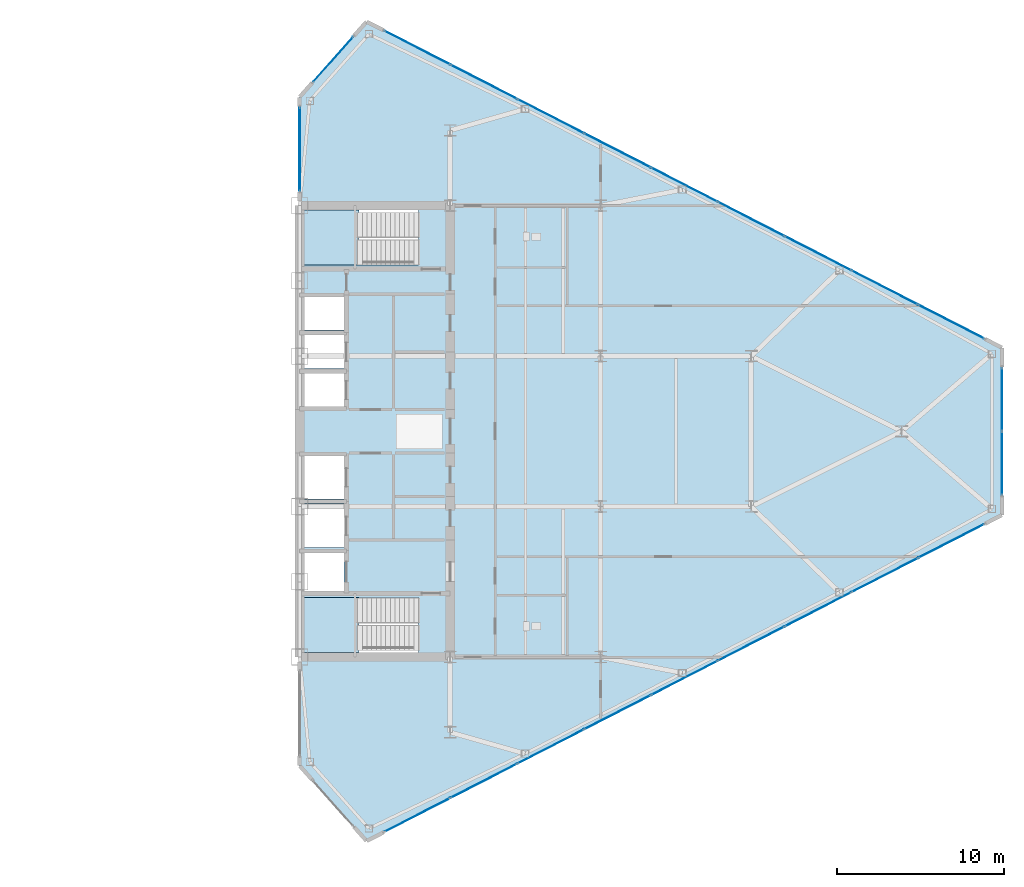
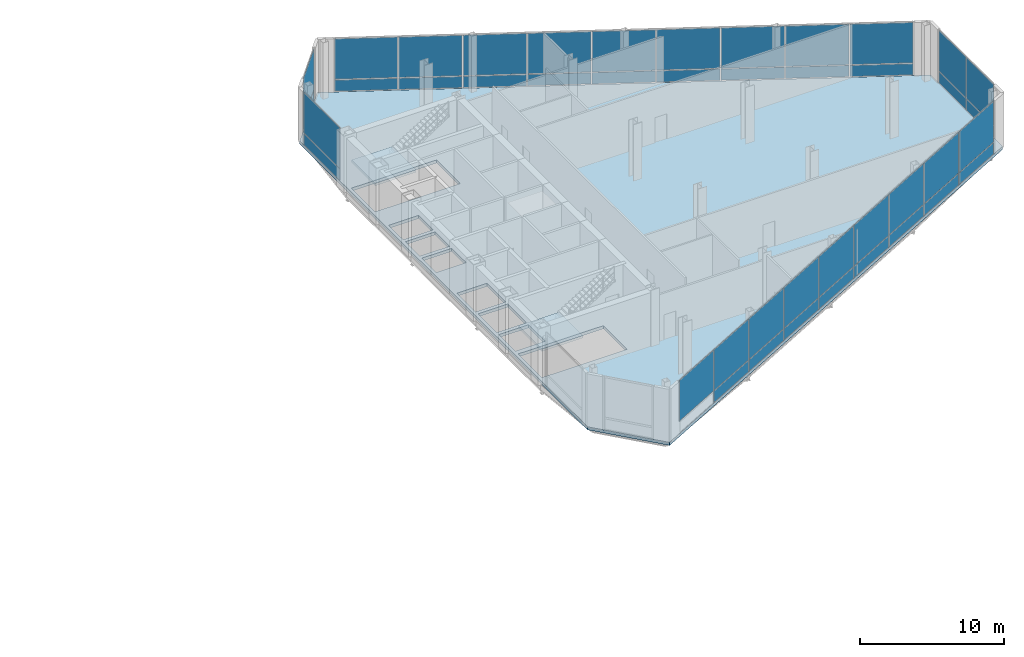
# One storey, part 15 of 22: 43 plates, 3 slabs, 7 elements without a shape of their own.
"""IFC4 building model written with IfcOpenShell, lengths in metres."""

from ifc_helpers import new_model, si_unit, direction, frame, origin, origin_2d, place, context, subcontext, project, spatial, polyline, rectangle, outline, extrude, source, transform, mapped, material, layer, layer_set, type_object, type_shapes, element, aggregate, save


model = new_model("IFC4")

# Units and contexts
model_context = context("Model", 3, precision=1e-05, world=origin(), true_north=direction((0.0, 1.0)))
body_context = subcontext(model_context, "Body", "Model", "MODEL_VIEW")
ifc_project = project(units=[si_unit("LENGTHUNIT", "METRE"), si_unit("AREAUNIT", "SQUARE_METRE"), si_unit("VOLUMEUNIT", "CUBIC_METRE"), si_unit("PLANEANGLEUNIT", "RADIAN"), si_unit("MASSUNIT", "GRAM", prefix="KILO")], contexts=[model_context])

# Site, building, storey
site_placement = place(None, origin())
site = spatial("IfcSite", under=ifc_project, at=site_placement, CompositionType="ELEMENT")
building_placement = place(site_placement, origin())
building = spatial("IfcBuilding", under=site, at=building_placement, Name="Seokmaru Belvedere", CompositionType="ELEMENT")
storey_placement = place(building_placement, frame((0.0, 0.0, 135.60009765625)))
storey = spatial("IfcBuildingStorey", under=building, at=storey_placement, Name="L36", CompositionType="ELEMENT", Elevation=135.60009765625)

# Slab
ifc_material_1 = material(Name="Concrete C50 (50 MPa)", Category="concrete")
ifc_layer_1 = layer(ifc_material_1, 0.260009765625)
ifc_layer_set_1 = layer_set([ifc_layer_1], Name="Concrete C50 (50 MPa)")
slab_type_1 = type_object("IfcSlabType", Name="Refuge and Sky-Gate Heavy Floor Slab 260", PredefinedType="FLOOR", material=ifc_layer_set_1)
slab_1_placement = place(storey_placement, frame((0.0, 0.0, -0.260009765625)))
element("IfcSlab", 1, at=slab_1_placement, inside=storey, type_object=slab_type_1, Name="L36 East Leg Floor Slab", PredefinedType="FLOOR", context=body_context, shape_type="SweptSolid", body=[
    extrude(outline(polyline([(31.5, -24.5), (69.5, -5.0), (69.5, 5.0), (31.5, 24.5), (27.5, 20.0), (27.5, -20.0), (31.5, -24.5)]), holes=[polyline([(27.75, -13.25), (34.60009765625, -13.25), (34.60009765625, -9.949951171875), (27.75, -9.949951171875), (27.75, -13.25)]), polyline([(27.75, 9.949951171875), (34.60009765625, 9.949951171875), (34.60009765625, 13.25), (27.75, 13.25), (27.75, 9.949951171875)]), polyline([(27.75, -9.550048828125), (30.14990234375, -9.550048828125), (30.14990234375, -7.25), (27.75, -7.25), (27.75, -9.550048828125)]), polyline([(27.75, -6.949951171875), (30.14990234375, -6.949951171875), (30.14990234375, -4.35009765625), (27.75, -4.35009765625), (27.75, -6.949951171875)]), polyline([(27.75, -4.050048828125), (30.14990234375, -4.050048828125), (30.14990234375, -1.449951171875), (27.75, -1.449951171875), (27.75, -4.050048828125)]), polyline([(27.75, 1.449951171875), (30.14990234375, 1.449951171875), (30.14990234375, 3.449951171875), (27.75, 3.449951171875), (27.75, 1.449951171875)]), polyline([(27.75, 3.75), (30.14990234375, 3.75), (30.14990234375, 5.75), (27.75, 5.75), (27.75, 3.75)]), polyline([(27.75, 6.050048828125), (30.14990234375, 6.050048828125), (30.14990234375, 8.050048828125), (27.75, 8.050048828125), (27.75, 6.050048828125)])]), origin(), (0.0, 0.0, 1.0), 0.260009765625),
])

# Stair, slab
ifc_material_2 = material(Name="Concrete C40 (40 MPa)", Category="concrete")
stair_type = type_object("IfcStairType", Name="Basement Core Dog-Leg Stair 4800", PredefinedType="TWO_STRAIGHT_RUN_STAIR", material=ifc_material_2)
stair_1_placement = place(storey_placement, origin())
stair_1 = element("IfcStair", 2, at=stair_1_placement, inside=storey, type_object=stair_type, Name="L36 Special Escape Stair ST-E1", PredefinedType="TWO_STRAIGHT_RUN_STAIR")
ifc_layer_2 = layer(ifc_material_2, 0.199951171875)
ifc_layer_set_2 = layer_set([ifc_layer_2], Name="Concrete C40 (40 MPa)")
slab_type_2 = type_object("IfcSlabType", Name="Reinforced Concrete Stair Landing Slab 200", PredefinedType="LANDING", material=ifc_layer_set_2)
slab_2_placement = place(storey_placement, frame((0.0, 0.0, 2.199951171875)))
slab_2 = element("IfcSlab", 3, at=slab_2_placement, type_object=slab_type_2, Name="ST-E1 landing 1", PredefinedType="LANDING", context=body_context, shape_type="SweptSolid", body=[
    extrude(outline(polyline([(27.760009765625, -13.239990234375), (31.0400390625, -13.239990234375), (31.0400390625, -9.949951171875), (27.760009765625, -9.949951171875), (27.760009765625, -13.239990234375)])), origin(), (0.0, 0.0, 1.0), 0.199951171875),
])
aggregate(stair_1, [slab_2])

stair_2_placement = place(storey_placement, origin())
stair_2 = element("IfcStair", 4, at=stair_2_placement, inside=storey, type_object=stair_type, Name="L36 Special Escape Stair ST-E2", PredefinedType="TWO_STRAIGHT_RUN_STAIR")
slab_3_placement = place(storey_placement, frame((0.0, 0.0, 2.199951171875)))
slab_3 = element("IfcSlab", 5, at=slab_3_placement, type_object=slab_type_2, Name="ST-E2 landing 1", PredefinedType="LANDING", context=body_context, shape_type="SweptSolid", body=[
    extrude(outline(polyline([(27.760009765625, 9.949951171875), (31.0400390625, 9.949951171875), (31.0400390625, 13.239990234375), (27.760009765625, 13.239990234375), (27.760009765625, 9.949951171875)])), origin(), (0.0, 0.0, 1.0), 0.199951171875),
])
aggregate(stair_2, [slab_3])

# Curtain wall, plates
ifc_material_3 = material(Name="Bronze Triple Insulating Glass", Category="glass")
ifc_layer_3 = layer(ifc_material_3, 0.195068359375)
ifc_layer_set_3 = layer_set([ifc_layer_3], Name="Bronze Triple Insulating Glass")
curtain_wall_type = type_object("IfcCurtainWallType", Name="Sky-Lobby and Mid-Rise Curtain Wall System CW-4", PredefinedType="NOTDEFINED", material=ifc_layer_set_3)
curtain_wall_1_placement = place(storey_placement, origin())
curtain_wall_1 = element("IfcCurtainWall", 6, at=curtain_wall_1_placement, inside=storey, type_object=curtain_wall_type, Name="L36 Curtain Wall ESP_2", PredefinedType="NOTDEFINED")
ifc_layer_4 = layer(ifc_material_3, 0.048095703125)
ifc_layer_set_4 = layer_set([ifc_layer_4], Name="Bronze Triple Insulating Glass")
plate_type_1 = type_object("IfcPlateType", Name="Insulated Bronze Spandrel Glazing Panel 48", PredefinedType="CURTAIN_PANEL", material=ifc_layer_set_4)
shared_shape_1 = source(origin(), body_context, "Body", "SweptSolid", [
    extrude(rectangle(XDim=4.9599609375, YDim=0.035888671875, at=origin_2d()), origin(), (0.0, 0.0, 1.0), 0.952392578125),
])
plate_1_placement = place(storey_placement, frame((27.5, 16.8798828125, 0.06494140625), z_axis=(0.0, 0.0, 1.0), x_axis=(0.0, -1.0, 0.0)))
plate_1 = element("IfcPlate", 7, at=plate_1_placement, type_object=plate_type_1, Name="CW:L36:ESP_2 Glazing Panel 1-1", PredefinedType="CURTAIN_PANEL", context=body_context, shape_type="MappedRepresentation", body=[
    mapped(shared_shape_1, transform((0.0, 0.0, 0.0), scale=1.0)),
])
ifc_layer_5 = layer(ifc_material_3, 0.035888671875)
ifc_layer_set_5 = layer_set([ifc_layer_5], Name="Bronze Triple Insulating Glass")
plate_type_2 = type_object("IfcPlateType", Name="Bronze Triple Vision Glazing Panel 36", PredefinedType="CURTAIN_PANEL", material=ifc_layer_set_5)
shared_shape_2 = source(origin(), body_context, "Body", "SweptSolid", [
    extrude(rectangle(XDim=4.9599609375, YDim=0.035888671875, at=origin_2d()), origin(), (0.0, 0.0, 1.0), 3.4326171875),
])
plate_2_placement = place(storey_placement, frame((27.5, 16.8798828125, 1.082275390625), z_axis=(0.0, 0.0, 1.0), x_axis=(0.0, -1.0, 0.0)))
plate_2 = element("IfcPlate", 8, at=plate_2_placement, type_object=plate_type_2, Name="CW:L36:ESP_2 Glazing Panel 1-2", PredefinedType="CURTAIN_PANEL", context=body_context, shape_type="MappedRepresentation", body=[
    mapped(shared_shape_2, transform((0.0, 0.0, 0.0), scale=1.0)),
])
aggregate(curtain_wall_1, [plate_1, plate_2])

curtain_wall_2_placement = place(storey_placement, origin())
curtain_wall_2 = element("IfcCurtainWall", 9, at=curtain_wall_2_placement, inside=storey, type_object=curtain_wall_type, Name="L36 Curtain Wall EF4", PredefinedType="NOTDEFINED")
shared_shape_3 = source(origin(), body_context, "Body", "SweptSolid", [
    extrude(rectangle(XDim=3.580810546875, YDim=0.035888671875, at=origin_2d()), origin(), (0.0, 0.0, 1.0), 0.952392578125),
])
plate_3_placement = place(storey_placement, frame((29.5, 22.25, 0.06494140625), z_axis=(0.0, 0.0, 1.0), x_axis=(-0.664363325694, -0.747409774804, 0.0)))
plate_3 = element("IfcPlate", 10, at=plate_3_placement, type_object=plate_type_1, Name="CW:L36:EF4 Glazing Panel 1-1", PredefinedType="CURTAIN_PANEL", context=body_context, shape_type="MappedRepresentation", body=[
    mapped(shared_shape_3, transform((0.0, 0.0, 0.0), scale=1.0)),
])
shared_shape_4 = source(origin(), body_context, "Body", "SweptSolid", [
    extrude(rectangle(XDim=3.580810546875, YDim=0.035888671875, at=origin_2d()), origin(), (0.0, 0.0, 1.0), 3.4326171875),
])
plate_4_placement = place(storey_placement, frame((29.5, 22.25, 1.082275390625), z_axis=(0.0, 0.0, 1.0), x_axis=(-0.664363325694, -0.747409774804, 0.0)))
plate_4 = element("IfcPlate", 11, at=plate_4_placement, type_object=plate_type_2, Name="CW:L36:EF4 Glazing Panel 1-2", PredefinedType="CURTAIN_PANEL", context=body_context, shape_type="MappedRepresentation", body=[
    mapped(shared_shape_4, transform((0.0, 0.0, 0.0), scale=1.0)),
])
aggregate(curtain_wall_2, [plate_3, plate_4])

# Curtain wall, plate
curtain_wall_3_placement = place(storey_placement, origin())
curtain_wall_3 = element("IfcCurtainWall", 12, at=curtain_wall_3_placement, inside=storey, type_object=curtain_wall_type, Name="L36 Curtain Wall EF1", PredefinedType="NOTDEFINED")
shared_shape_5 = source(origin(), body_context, "Body", "SweptSolid", [
    extrude(rectangle(XDim=4.38525390625, YDim=0.035888671875, at=origin_2d()), origin(), (0.0, 0.0, 1.0), 0.952392578125),
])
plate_5_placement = place(storey_placement, frame((66.4638671875, -6.55810546875, 0.06494140625), z_axis=(0.0, 0.0, 1.0), x_axis=(0.889695432562, 0.456554528263, 0.0)))
plate_5 = element("IfcPlate", 13, at=plate_5_placement, type_object=plate_type_1, Name="CW:L36:EF1 Glazing Panel 9-1", PredefinedType="CURTAIN_PANEL", context=body_context, shape_type="MappedRepresentation", body=[
    mapped(shared_shape_5, transform((0.0, 0.0, 0.0), scale=1.0)),
])

# Curtain wall, plates
curtain_wall_4_placement = place(storey_placement, origin())
curtain_wall_4 = element("IfcCurtainWall", 14, at=curtain_wall_4_placement, inside=storey, type_object=curtain_wall_type, Name="L36 Curtain Wall EF3", PredefinedType="NOTDEFINED")
plate_6_placement = place(storey_placement, frame((66.4638671875, 6.55810546875, 0.06494140625), z_axis=(0.0, 0.0, 1.0), x_axis=(-0.889695432562, 0.456554528263, 0.0)))
plate_6 = element("IfcPlate", 15, at=plate_6_placement, type_object=plate_type_1, Name="CW:L36:EF3 Glazing Panel 1-1", PredefinedType="CURTAIN_PANEL", context=body_context, shape_type="MappedRepresentation", body=[
    mapped(shared_shape_5, transform((0.0, 0.0, 0.0), scale=1.0)),
])
plate_7_placement = place(storey_placement, frame((34.5361328125, 22.94189453125, 0.06494140625), z_axis=(0.0, 0.0, 1.0), x_axis=(-0.889695432562, 0.456554528263, 0.0)))
plate_7 = element("IfcPlate", 16, at=plate_7_placement, type_object=plate_type_1, Name="CW:L36:EF3 Glazing Panel 9-1", PredefinedType="CURTAIN_PANEL", context=body_context, shape_type="MappedRepresentation", body=[
    mapped(shared_shape_5, transform((0.0, 0.0, 0.0), scale=1.0)),
])

# Plate
shared_shape_6 = source(origin(), body_context, "Body", "SweptSolid", [
    extrude(rectangle(XDim=4.38525390625, YDim=0.035888671875, at=origin_2d()), origin(), (0.0, 0.0, 1.0), 3.4326171875),
])
plate_8_placement = place(storey_placement, frame((34.5361328125, -22.94189453125, 1.082275390625), z_axis=(0.0, 0.0, 1.0), x_axis=(0.889695432562, 0.456554528263, 0.0)))
plate_8 = element("IfcPlate", 17, at=plate_8_placement, type_object=plate_type_2, Name="CW:L36:EF1 Glazing Panel 1-2", PredefinedType="CURTAIN_PANEL", context=body_context, shape_type="MappedRepresentation", body=[
    mapped(shared_shape_6, transform((0.0, 0.0, 0.0), scale=1.0)),
])

plate_9_placement = place(storey_placement, frame((66.4638671875, -6.55810546875, 1.082275390625), z_axis=(0.0, 0.0, 1.0), x_axis=(0.889695432562, 0.456554528263, 0.0)))
plate_9 = element("IfcPlate", 18, at=plate_9_placement, type_object=plate_type_2, Name="CW:L36:EF1 Glazing Panel 9-2", PredefinedType="CURTAIN_PANEL", context=body_context, shape_type="MappedRepresentation", body=[
    mapped(shared_shape_6, transform((0.0, 0.0, 0.0), scale=1.0)),
])

plate_10_placement = place(storey_placement, frame((66.4638671875, 6.55810546875, 1.082275390625), z_axis=(0.0, 0.0, 1.0), x_axis=(-0.889695432562, 0.456554528263, 0.0)))
plate_10 = element("IfcPlate", 19, at=plate_10_placement, type_object=plate_type_2, Name="CW:L36:EF3 Glazing Panel 1-2", PredefinedType="CURTAIN_PANEL", context=body_context, shape_type="MappedRepresentation", body=[
    mapped(shared_shape_6, transform((0.0, 0.0, 0.0), scale=1.0)),
])

plate_11_placement = place(storey_placement, frame((34.5361328125, 22.94189453125, 1.082275390625), z_axis=(0.0, 0.0, 1.0), x_axis=(-0.889695432562, 0.456554528263, 0.0)))
plate_11 = element("IfcPlate", 20, at=plate_11_placement, type_object=plate_type_2, Name="CW:L36:EF3 Glazing Panel 9-2", PredefinedType="CURTAIN_PANEL", context=body_context, shape_type="MappedRepresentation", body=[
    mapped(shared_shape_6, transform((0.0, 0.0, 0.0), scale=1.0)),
])

shared_shape_7 = source(origin(), body_context, "Body", "SweptSolid", [
    extrude(rectangle(XDim=4.420166015625, YDim=0.035888671875, at=origin_2d()), origin(), (0.0, 0.0, 1.0), 0.952392578125),
])
plate_12_placement = place(storey_placement, frame((38.515380859375, -20.89990234375, 0.06494140625), z_axis=(0.0, 0.0, 1.0), x_axis=(0.889695432562, 0.456554528263, 0.0)))
plate_12 = element("IfcPlate", 21, at=plate_12_placement, type_object=plate_type_1, Name="CW:L36:EF1 Glazing Panel 2-1", PredefinedType="CURTAIN_PANEL", context=body_context, shape_type="MappedRepresentation", body=[
    mapped(shared_shape_7, transform((0.0, 0.0, 0.0), scale=1.0)),
])

plate_13_placement = place(storey_placement, frame((42.51025390625, -18.85009765625, 0.06494140625), z_axis=(0.0, 0.0, 1.0), x_axis=(0.889695432562, 0.456554528263, 0.0)))
plate_13 = element("IfcPlate", 22, at=plate_13_placement, type_object=plate_type_1, Name="CW:L36:EF1 Glazing Panel 3-1", PredefinedType="CURTAIN_PANEL", context=body_context, shape_type="MappedRepresentation", body=[
    mapped(shared_shape_7, transform((0.0, 0.0, 0.0), scale=1.0)),
])

plate_14_placement = place(storey_placement, frame((46.505126953125, -16.800048828125, 0.06494140625), z_axis=(0.0, 0.0, 1.0), x_axis=(0.889695432562, 0.456554528263, 0.0)))
plate_14 = element("IfcPlate", 23, at=plate_14_placement, type_object=plate_type_1, Name="CW:L36:EF1 Glazing Panel 4-1", PredefinedType="CURTAIN_PANEL", context=body_context, shape_type="MappedRepresentation", body=[
    mapped(shared_shape_7, transform((0.0, 0.0, 0.0), scale=1.0)),
])

plate_15_placement = place(storey_placement, frame((50.5, -14.75, 0.06494140625), z_axis=(0.0, 0.0, 1.0), x_axis=(0.889695432562, 0.456554528263, 0.0)))
plate_15 = element("IfcPlate", 24, at=plate_15_placement, type_object=plate_type_1, Name="CW:L36:EF1 Glazing Panel 5-1", PredefinedType="CURTAIN_PANEL", context=body_context, shape_type="MappedRepresentation", body=[
    mapped(shared_shape_7, transform((0.0, 0.0, 0.0), scale=1.0)),
])

plate_16_placement = place(storey_placement, frame((54.494873046875, -12.699951171875, 0.06494140625), z_axis=(0.0, 0.0, 1.0), x_axis=(0.889695432562, 0.456554528263, 0.0)))
plate_16 = element("IfcPlate", 25, at=plate_16_placement, type_object=plate_type_1, Name="CW:L36:EF1 Glazing Panel 6-1", PredefinedType="CURTAIN_PANEL", context=body_context, shape_type="MappedRepresentation", body=[
    mapped(shared_shape_7, transform((0.0, 0.0, 0.0), scale=1.0)),
])

plate_17_placement = place(storey_placement, frame((58.48974609375, -10.64990234375, 0.06494140625), z_axis=(0.0, 0.0, 1.0), x_axis=(0.889695432562, 0.456554528263, 0.0)))
plate_17 = element("IfcPlate", 26, at=plate_17_placement, type_object=plate_type_1, Name="CW:L36:EF1 Glazing Panel 7-1", PredefinedType="CURTAIN_PANEL", context=body_context, shape_type="MappedRepresentation", body=[
    mapped(shared_shape_7, transform((0.0, 0.0, 0.0), scale=1.0)),
])

plate_18_placement = place(storey_placement, frame((62.484619140625, -8.60009765625, 0.06494140625), z_axis=(0.0, 0.0, 1.0), x_axis=(0.889695432562, 0.456554528263, 0.0)))
plate_18 = element("IfcPlate", 27, at=plate_18_placement, type_object=plate_type_1, Name="CW:L36:EF1 Glazing Panel 8-1", PredefinedType="CURTAIN_PANEL", context=body_context, shape_type="MappedRepresentation", body=[
    mapped(shared_shape_7, transform((0.0, 0.0, 0.0), scale=1.0)),
])

plate_19_placement = place(storey_placement, frame((62.484619140625, 8.60009765625, 0.06494140625), z_axis=(0.0, 0.0, 1.0), x_axis=(-0.889695432562, 0.456554528263, 0.0)))
plate_19 = element("IfcPlate", 28, at=plate_19_placement, type_object=plate_type_1, Name="CW:L36:EF3 Glazing Panel 2-1", PredefinedType="CURTAIN_PANEL", context=body_context, shape_type="MappedRepresentation", body=[
    mapped(shared_shape_7, transform((0.0, 0.0, 0.0), scale=1.0)),
])

plate_20_placement = place(storey_placement, frame((58.48974609375, 10.64990234375, 0.06494140625), z_axis=(0.0, 0.0, 1.0), x_axis=(-0.889695432562, 0.456554528263, 0.0)))
plate_20 = element("IfcPlate", 29, at=plate_20_placement, type_object=plate_type_1, Name="CW:L36:EF3 Glazing Panel 3-1", PredefinedType="CURTAIN_PANEL", context=body_context, shape_type="MappedRepresentation", body=[
    mapped(shared_shape_7, transform((0.0, 0.0, 0.0), scale=1.0)),
])

plate_21_placement = place(storey_placement, frame((54.494873046875, 12.699951171875, 0.06494140625), z_axis=(0.0, 0.0, 1.0), x_axis=(-0.889695432562, 0.456554528263, 0.0)))
plate_21 = element("IfcPlate", 30, at=plate_21_placement, type_object=plate_type_1, Name="CW:L36:EF3 Glazing Panel 4-1", PredefinedType="CURTAIN_PANEL", context=body_context, shape_type="MappedRepresentation", body=[
    mapped(shared_shape_7, transform((0.0, 0.0, 0.0), scale=1.0)),
])

plate_22_placement = place(storey_placement, frame((50.5, 14.75, 0.06494140625), z_axis=(0.0, 0.0, 1.0), x_axis=(-0.889695432562, 0.456554528263, 0.0)))
plate_22 = element("IfcPlate", 31, at=plate_22_placement, type_object=plate_type_1, Name="CW:L36:EF3 Glazing Panel 5-1", PredefinedType="CURTAIN_PANEL", context=body_context, shape_type="MappedRepresentation", body=[
    mapped(shared_shape_7, transform((0.0, 0.0, 0.0), scale=1.0)),
])

plate_23_placement = place(storey_placement, frame((46.505126953125, 16.800048828125, 0.06494140625), z_axis=(0.0, 0.0, 1.0), x_axis=(-0.889695432562, 0.456554528263, 0.0)))
plate_23 = element("IfcPlate", 32, at=plate_23_placement, type_object=plate_type_1, Name="CW:L36:EF3 Glazing Panel 6-1", PredefinedType="CURTAIN_PANEL", context=body_context, shape_type="MappedRepresentation", body=[
    mapped(shared_shape_7, transform((0.0, 0.0, 0.0), scale=1.0)),
])

plate_24_placement = place(storey_placement, frame((42.51025390625, 18.85009765625, 0.06494140625), z_axis=(0.0, 0.0, 1.0), x_axis=(-0.889695432562, 0.456554528263, 0.0)))
plate_24 = element("IfcPlate", 33, at=plate_24_placement, type_object=plate_type_1, Name="CW:L36:EF3 Glazing Panel 7-1", PredefinedType="CURTAIN_PANEL", context=body_context, shape_type="MappedRepresentation", body=[
    mapped(shared_shape_7, transform((0.0, 0.0, 0.0), scale=1.0)),
])

plate_25_placement = place(storey_placement, frame((38.515380859375, 20.89990234375, 0.06494140625), z_axis=(0.0, 0.0, 1.0), x_axis=(-0.889695432562, 0.456554528263, 0.0)))
plate_25 = element("IfcPlate", 34, at=plate_25_placement, type_object=plate_type_1, Name="CW:L36:EF3 Glazing Panel 8-1", PredefinedType="CURTAIN_PANEL", context=body_context, shape_type="MappedRepresentation", body=[
    mapped(shared_shape_7, transform((0.0, 0.0, 0.0), scale=1.0)),
])

shared_shape_8 = source(origin(), body_context, "Body", "SweptSolid", [
    extrude(rectangle(XDim=4.420166015625, YDim=0.035888671875, at=origin_2d()), origin(), (0.0, 0.0, 1.0), 3.4326171875),
])
plate_26_placement = place(storey_placement, frame((38.515380859375, -20.89990234375, 1.082275390625), z_axis=(0.0, 0.0, 1.0), x_axis=(0.889695432562, 0.456554528263, 0.0)))
plate_26 = element("IfcPlate", 35, at=plate_26_placement, type_object=plate_type_2, Name="CW:L36:EF1 Glazing Panel 2-2", PredefinedType="CURTAIN_PANEL", context=body_context, shape_type="MappedRepresentation", body=[
    mapped(shared_shape_8, transform((0.0, 0.0, 0.0), scale=1.0)),
])

plate_27_placement = place(storey_placement, frame((42.51025390625, -18.85009765625, 1.082275390625), z_axis=(0.0, 0.0, 1.0), x_axis=(0.889695432562, 0.456554528263, 0.0)))
plate_27 = element("IfcPlate", 36, at=plate_27_placement, type_object=plate_type_2, Name="CW:L36:EF1 Glazing Panel 3-2", PredefinedType="CURTAIN_PANEL", context=body_context, shape_type="MappedRepresentation", body=[
    mapped(shared_shape_8, transform((0.0, 0.0, 0.0), scale=1.0)),
])

plate_28_placement = place(storey_placement, frame((46.505126953125, -16.800048828125, 1.082275390625), z_axis=(0.0, 0.0, 1.0), x_axis=(0.889695432562, 0.456554528263, 0.0)))
plate_28 = element("IfcPlate", 37, at=plate_28_placement, type_object=plate_type_2, Name="CW:L36:EF1 Glazing Panel 4-2", PredefinedType="CURTAIN_PANEL", context=body_context, shape_type="MappedRepresentation", body=[
    mapped(shared_shape_8, transform((0.0, 0.0, 0.0), scale=1.0)),
])

plate_29_placement = place(storey_placement, frame((50.5, -14.75, 1.082275390625), z_axis=(0.0, 0.0, 1.0), x_axis=(0.889695432562, 0.456554528263, 0.0)))
plate_29 = element("IfcPlate", 38, at=plate_29_placement, type_object=plate_type_2, Name="CW:L36:EF1 Glazing Panel 5-2", PredefinedType="CURTAIN_PANEL", context=body_context, shape_type="MappedRepresentation", body=[
    mapped(shared_shape_8, transform((0.0, 0.0, 0.0), scale=1.0)),
])

plate_30_placement = place(storey_placement, frame((54.494873046875, -12.699951171875, 1.082275390625), z_axis=(0.0, 0.0, 1.0), x_axis=(0.889695432562, 0.456554528263, 0.0)))
plate_30 = element("IfcPlate", 39, at=plate_30_placement, type_object=plate_type_2, Name="CW:L36:EF1 Glazing Panel 6-2", PredefinedType="CURTAIN_PANEL", context=body_context, shape_type="MappedRepresentation", body=[
    mapped(shared_shape_8, transform((0.0, 0.0, 0.0), scale=1.0)),
])

plate_31_placement = place(storey_placement, frame((58.48974609375, -10.64990234375, 1.082275390625), z_axis=(0.0, 0.0, 1.0), x_axis=(0.889695432562, 0.456554528263, 0.0)))
plate_31 = element("IfcPlate", 40, at=plate_31_placement, type_object=plate_type_2, Name="CW:L36:EF1 Glazing Panel 7-2", PredefinedType="CURTAIN_PANEL", context=body_context, shape_type="MappedRepresentation", body=[
    mapped(shared_shape_8, transform((0.0, 0.0, 0.0), scale=1.0)),
])

plate_32_placement = place(storey_placement, frame((62.484619140625, -8.60009765625, 1.082275390625), z_axis=(0.0, 0.0, 1.0), x_axis=(0.889695432562, 0.456554528263, 0.0)))
plate_32 = element("IfcPlate", 41, at=plate_32_placement, type_object=plate_type_2, Name="CW:L36:EF1 Glazing Panel 8-2", PredefinedType="CURTAIN_PANEL", context=body_context, shape_type="MappedRepresentation", body=[
    mapped(shared_shape_8, transform((0.0, 0.0, 0.0), scale=1.0)),
])

aggregate(curtain_wall_3, [plate_8, plate_12, plate_26, plate_13, plate_27, plate_14, plate_28, plate_15, plate_29, plate_16, plate_30, plate_17, plate_31, plate_18, plate_32, plate_5, plate_9])

plate_33_placement = place(storey_placement, frame((62.484619140625, 8.60009765625, 1.082275390625), z_axis=(0.0, 0.0, 1.0), x_axis=(-0.889695432562, 0.456554528263, 0.0)))
plate_33 = element("IfcPlate", 42, at=plate_33_placement, type_object=plate_type_2, Name="CW:L36:EF3 Glazing Panel 2-2", PredefinedType="CURTAIN_PANEL", context=body_context, shape_type="MappedRepresentation", body=[
    mapped(shared_shape_8, transform((0.0, 0.0, 0.0), scale=1.0)),
])

plate_34_placement = place(storey_placement, frame((58.48974609375, 10.64990234375, 1.082275390625), z_axis=(0.0, 0.0, 1.0), x_axis=(-0.889695432562, 0.456554528263, 0.0)))
plate_34 = element("IfcPlate", 43, at=plate_34_placement, type_object=plate_type_2, Name="CW:L36:EF3 Glazing Panel 3-2", PredefinedType="CURTAIN_PANEL", context=body_context, shape_type="MappedRepresentation", body=[
    mapped(shared_shape_8, transform((0.0, 0.0, 0.0), scale=1.0)),
])

plate_35_placement = place(storey_placement, frame((54.494873046875, 12.699951171875, 1.082275390625), z_axis=(0.0, 0.0, 1.0), x_axis=(-0.889695432562, 0.456554528263, 0.0)))
plate_35 = element("IfcPlate", 44, at=plate_35_placement, type_object=plate_type_2, Name="CW:L36:EF3 Glazing Panel 4-2", PredefinedType="CURTAIN_PANEL", context=body_context, shape_type="MappedRepresentation", body=[
    mapped(shared_shape_8, transform((0.0, 0.0, 0.0), scale=1.0)),
])

plate_36_placement = place(storey_placement, frame((50.5, 14.75, 1.082275390625), z_axis=(0.0, 0.0, 1.0), x_axis=(-0.889695432562, 0.456554528263, 0.0)))
plate_36 = element("IfcPlate", 45, at=plate_36_placement, type_object=plate_type_2, Name="CW:L36:EF3 Glazing Panel 5-2", PredefinedType="CURTAIN_PANEL", context=body_context, shape_type="MappedRepresentation", body=[
    mapped(shared_shape_8, transform((0.0, 0.0, 0.0), scale=1.0)),
])

plate_37_placement = place(storey_placement, frame((46.505126953125, 16.800048828125, 1.082275390625), z_axis=(0.0, 0.0, 1.0), x_axis=(-0.889695432562, 0.456554528263, 0.0)))
plate_37 = element("IfcPlate", 46, at=plate_37_placement, type_object=plate_type_2, Name="CW:L36:EF3 Glazing Panel 6-2", PredefinedType="CURTAIN_PANEL", context=body_context, shape_type="MappedRepresentation", body=[
    mapped(shared_shape_8, transform((0.0, 0.0, 0.0), scale=1.0)),
])

plate_38_placement = place(storey_placement, frame((42.51025390625, 18.85009765625, 1.082275390625), z_axis=(0.0, 0.0, 1.0), x_axis=(-0.889695432562, 0.456554528263, 0.0)))
plate_38 = element("IfcPlate", 47, at=plate_38_placement, type_object=plate_type_2, Name="CW:L36:EF3 Glazing Panel 7-2", PredefinedType="CURTAIN_PANEL", context=body_context, shape_type="MappedRepresentation", body=[
    mapped(shared_shape_8, transform((0.0, 0.0, 0.0), scale=1.0)),
])

plate_39_placement = place(storey_placement, frame((38.515380859375, 20.89990234375, 1.082275390625), z_axis=(0.0, 0.0, 1.0), x_axis=(-0.889695432562, 0.456554528263, 0.0)))
plate_39 = element("IfcPlate", 48, at=plate_39_placement, type_object=plate_type_2, Name="CW:L36:EF3 Glazing Panel 8-2", PredefinedType="CURTAIN_PANEL", context=body_context, shape_type="MappedRepresentation", body=[
    mapped(shared_shape_8, transform((0.0, 0.0, 0.0), scale=1.0)),
])

aggregate(curtain_wall_4, [plate_6, plate_10, plate_19, plate_33, plate_20, plate_34, plate_21, plate_35, plate_22, plate_36, plate_23, plate_37, plate_24, plate_38, plate_25, plate_39, plate_7, plate_11])

# Curtain wall, plates
curtain_wall_5_placement = place(storey_placement, origin())
curtain_wall_5 = element("IfcCurtainWall", 49, at=curtain_wall_5_placement, inside=storey, type_object=curtain_wall_type, Name="L36 Curtain Wall EF2", PredefinedType="NOTDEFINED")
shared_shape_9 = source(origin(), body_context, "Body", "SweptSolid", [
    extrude(rectangle(XDim=3.7451171875, YDim=0.035888671875, at=origin_2d()), origin(), (0.0, 0.0, 1.0), 0.952392578125),
])
type_shapes(plate_type_1, [shared_shape_1, shared_shape_3, shared_shape_5, shared_shape_7, shared_shape_9])
plate_40_placement = place(storey_placement, frame((69.5, -1.907470703125, 0.06494140625), z_axis=(0.0, 0.0, 1.0), x_axis=(0.0, 1.0, 0.0)))
plate_40 = element("IfcPlate", 50, at=plate_40_placement, type_object=plate_type_1, Name="CW:L36:EF2 Glazing Panel 1-1", PredefinedType="CURTAIN_PANEL", context=body_context, shape_type="MappedRepresentation", body=[
    mapped(shared_shape_9, transform((0.0, 0.0, 0.0), scale=1.0)),
])
plate_41_placement = place(storey_placement, frame((69.5, 1.907470703125, 0.06494140625), z_axis=(0.0, 0.0, 1.0), x_axis=(0.0, 1.0, 0.0)))
plate_41 = element("IfcPlate", 51, at=plate_41_placement, type_object=plate_type_1, Name="CW:L36:EF2 Glazing Panel 2-1", PredefinedType="CURTAIN_PANEL", context=body_context, shape_type="MappedRepresentation", body=[
    mapped(shared_shape_9, transform((0.0, 0.0, 0.0), scale=1.0)),
])
shared_shape_10 = source(origin(), body_context, "Body", "SweptSolid", [
    extrude(rectangle(XDim=3.7451171875, YDim=0.035888671875, at=origin_2d()), origin(), (0.0, 0.0, 1.0), 3.4326171875),
])
type_shapes(plate_type_2, [shared_shape_2, shared_shape_4, shared_shape_6, shared_shape_8, shared_shape_10])
plate_42_placement = place(storey_placement, frame((69.5, -1.907470703125, 1.082275390625), z_axis=(0.0, 0.0, 1.0), x_axis=(0.0, 1.0, 0.0)))
plate_42 = element("IfcPlate", 52, at=plate_42_placement, type_object=plate_type_2, Name="CW:L36:EF2 Glazing Panel 1-2", PredefinedType="CURTAIN_PANEL", context=body_context, shape_type="MappedRepresentation", body=[
    mapped(shared_shape_10, transform((0.0, 0.0, 0.0), scale=1.0)),
])
plate_43_placement = place(storey_placement, frame((69.5, 1.907470703125, 1.082275390625), z_axis=(0.0, 0.0, 1.0), x_axis=(0.0, 1.0, 0.0)))
plate_43 = element("IfcPlate", 53, at=plate_43_placement, type_object=plate_type_2, Name="CW:L36:EF2 Glazing Panel 2-2", PredefinedType="CURTAIN_PANEL", context=body_context, shape_type="MappedRepresentation", body=[
    mapped(shared_shape_10, transform((0.0, 0.0, 0.0), scale=1.0)),
])
aggregate(curtain_wall_5, [plate_40, plate_42, plate_41, plate_43])

save(model, "model.ifc")
